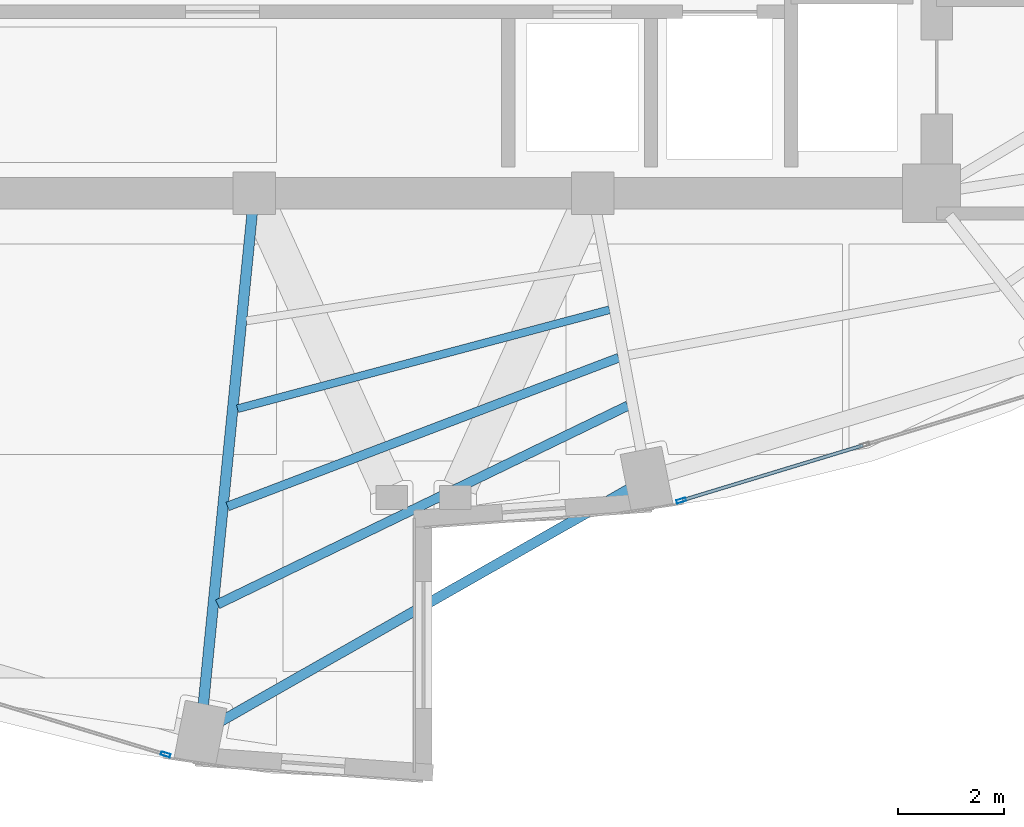
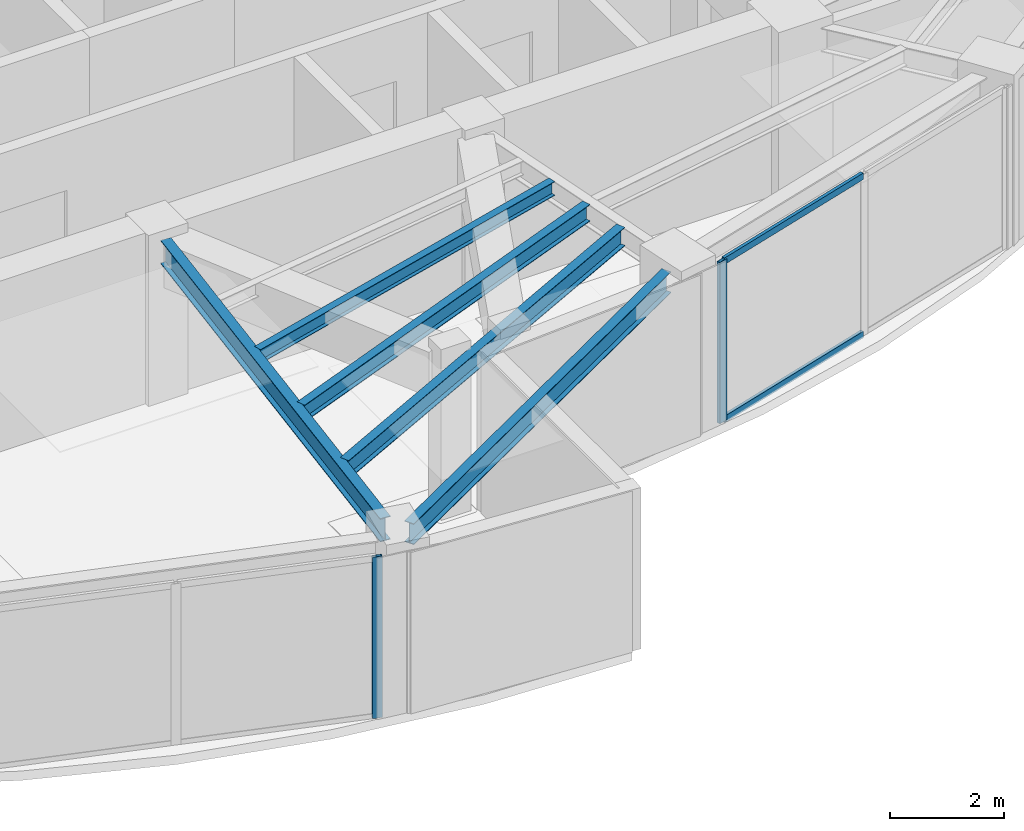
# One storey, part 4 of 21: 5 beams, 4 members, 2 elements without a shape of their own.
"""IFC4 building model written with IfcOpenShell, lengths in metres."""

from ifc_helpers import new_model, si_unit, direction, frame, origin, origin_2d, place, context, subcontext, project, spatial, hollow_rectangle, i_section, extrude, material, layer, layer_set, material_profile, profile_set, type_object, element, aggregate, save


model = new_model("IFC4")

# Units and contexts
model_context = context("Model", 3, precision=1e-05, world=origin(), true_north=direction((0.0, 1.0)))
body_context = subcontext(model_context, "Body", "Model", "MODEL_VIEW")
ifc_project = project(units=[si_unit("LENGTHUNIT", "METRE"), si_unit("AREAUNIT", "SQUARE_METRE"), si_unit("VOLUMEUNIT", "CUBIC_METRE"), si_unit("PLANEANGLEUNIT", "RADIAN"), si_unit("MASSUNIT", "GRAM", prefix="KILO")], contexts=[model_context])

# Site, building, storey
site_placement = place(None, origin())
site = spatial("IfcSite", under=ifc_project, at=site_placement, CompositionType="ELEMENT")
building_placement = place(site_placement, origin())
building = spatial("IfcBuilding", under=site, at=building_placement, Name="Lazwardi Medical Tower", CompositionType="ELEMENT")
storey_placement = place(building_placement, frame((0.0, 0.0, 216.719970703125)))
storey = spatial("IfcBuildingStorey", under=building, at=storey_placement, Name="L56", CompositionType="ELEMENT", Elevation=216.719970703125)

# Beams
ifc_material_1 = material(Name="Steel S355", Category="steel")
ifc_material_profile_1 = material_profile(ifc_material_1, i_section(OverallWidth=0.199951171875, OverallDepth=0.5, WebThickness=0.01025390625, FlangeThickness=0.01611328125, at=origin_2d()), Name="IPE 500")
ifc_profile_set_1 = profile_set([ifc_material_profile_1], Name="Steel S355")
beam_type_1 = type_object("IfcBeamType", Name="BM-RG-W3", PredefinedType="BEAM", material=ifc_profile_set_1)
beam_1_placement = place(storey_placement, frame((31.8388671875, 10.734130859375, 3.197998046875), z_axis=(0.098954361922, 0.995091972763, 0.0), x_axis=(-0.995091972763, 0.098954361922, 0.0)))
element("IfcBeam", 1, at=beam_1_placement, inside=storey, type_object=beam_type_1, Name="Radial girder RG-04 R16 L56", PredefinedType="BEAM", context=body_context, shape_type="SweptSolid", body=[
    extrude(i_section(OverallWidth=0.199951171875, OverallDepth=0.5, WebThickness=0.01025390625, FlangeThickness=0.01611328125, at=origin_2d()), origin(), (0.0, 0.0, 1.0), 9.32861328125),
])
ifc_material_profile_2 = material_profile(ifc_material_1, i_section(OverallWidth=0.179931640625, OverallDepth=0.39990234375, WebThickness=0.008544921875, FlangeThickness=0.013427734375, at=origin_2d()), Name="IPE 400")
ifc_profile_set_2 = profile_set([ifc_material_profile_2], Name="Steel S355")
beam_type_2 = type_object("IfcBeamType", Name="BM-SJ-01", PredefinedType="JOIST", material=ifc_profile_set_2)
beam_2_placement = place(storey_placement, frame((32.10888671875, 12.632080078125, 3.248046875), z_axis=(0.900068885459, 0.435747635024, 0.0), x_axis=(-0.435747635024, 0.900068885459, 0.0)))
element("IfcBeam", 2, at=beam_2_placement, inside=storey, type_object=beam_type_2, Name="Secondary joist SJ-01 R1 B16 L56", PredefinedType="JOIST", context=body_context, shape_type="SweptSolid", body=[
    extrude(i_section(OverallWidth=0.179931640625, OverallDepth=0.39990234375, WebThickness=0.008544921875, FlangeThickness=0.013427734375, at=origin_2d()), origin(), (0.0, 0.0, 1.0), 8.612548828125),
])
ifc_material_profile_3 = material_profile(ifc_material_1, i_section(OverallWidth=0.169921875, OverallDepth=0.360107421875, WebThickness=0.008056640625, FlangeThickness=0.0126953125, at=origin_2d()), Name="IPE 360")
ifc_profile_set_3 = profile_set([ifc_material_profile_3], Name="Steel S355")
beam_type_3 = type_object("IfcBeamType", Name="BM-SJ-02", PredefinedType="JOIST", material=ifc_profile_set_3)
beam_3_placement = place(storey_placement, frame((32.296875, 14.48095703125, 3.26806640625), z_axis=(0.934714470268, 0.355399576633, 0.0), x_axis=(-0.355399576633, 0.934714470268, 0.0)))
element("IfcBeam", 3, at=beam_3_placement, inside=storey, type_object=beam_type_3, Name="Secondary joist SJ-02 R2 B16 L56", PredefinedType="JOIST", context=body_context, shape_type="SweptSolid", body=[
    extrude(i_section(OverallWidth=0.169921875, OverallDepth=0.360107421875, WebThickness=0.008056640625, FlangeThickness=0.0126953125, at=origin_2d()), origin(), (0.0, 0.0, 1.0), 7.908203125),
])
ifc_material_profile_4 = material_profile(ifc_material_1, i_section(OverallWidth=0.14990234375, OverallDepth=0.300048828125, WebThickness=0.007080078125, FlangeThickness=0.0107421875, at=origin_2d()), Name="IPE 300")
ifc_profile_set_4 = profile_set([ifc_material_profile_4], Name="Steel S355")
beam_type_4 = type_object("IfcBeamType", Name="BM-SJ-03", PredefinedType="JOIST", material=ifc_profile_set_4)
beam_4_placement = place(storey_placement, frame((32.484619140625, 16.328125, 3.298095703125), z_axis=(0.966369007826, 0.257159368316, 0.0), x_axis=(-0.257159368316, 0.966369007826, 0.0)))
element("IfcBeam", 4, at=beam_4_placement, inside=storey, type_object=beam_type_4, Name="Secondary joist SJ-03 R3 B16 L56", PredefinedType="JOIST", context=body_context, shape_type="SweptSolid", body=[
    extrude(i_section(OverallWidth=0.14990234375, OverallDepth=0.300048828125, WebThickness=0.007080078125, FlangeThickness=0.0107421875, at=origin_2d()), origin(), (0.0, 0.0, 1.0), 7.27685546875),
])
ifc_material_profile_5 = material_profile(ifc_material_1, i_section(OverallWidth=0.18994140625, OverallDepth=0.449951171875, WebThickness=0.009521484375, FlangeThickness=0.0146484375, at=origin_2d()), Name="IPE 450")
ifc_profile_set_5 = profile_set([ifc_material_profile_5], Name="Steel S355")
beam_type_5 = type_object("IfcBeamType", Name="BM-SP-01", PredefinedType="SPANDREL", material=ifc_profile_set_5)
beam_5_placement = place(storey_placement, frame((32.125, 10.394775390625, 3.22314453125), z_axis=(0.868954808466, 0.494891443494, 0.0), x_axis=(-0.494891443494, 0.868954808466, 0.0)))
element("IfcBeam", 5, at=beam_5_placement, inside=storey, type_object=beam_type_5, Name="Spandrel beam SP-01 B16 L56", PredefinedType="SPANDREL", context=body_context, shape_type="SweptSolid", body=[
    extrude(i_section(OverallWidth=0.18994140625, OverallDepth=0.449951171875, WebThickness=0.009521484375, FlangeThickness=0.0146484375, at=origin_2d()), origin(), (0.0, 0.0, 1.0), 8.918701171875),
])

# Curtain wall, member
ifc_material_2 = material(Name="Anodised bronze aluminium and solar control glazing", Category="aluminium")
ifc_layer = layer(ifc_material_2, 0.18994140625)
ifc_layer_set = layer_set([ifc_layer], Name="Anodised bronze aluminium and solar control glazing")
curtain_wall_type = type_object("IfcCurtainWallType", Name="CW-SYS-04", PredefinedType="NOTDEFINED", material=ifc_layer_set)
curtain_wall_1_placement = place(storey_placement, origin())
curtain_wall_1 = element("IfcCurtainWall", 6, at=curtain_wall_1_placement, inside=storey, type_object=curtain_wall_type, Name="L56 Unitised bronze curtain wall CW-04", PredefinedType="NOTDEFINED")
ifc_material_3 = material(Name="Anodised bronze aluminium", Category="aluminium")
ifc_material_profile_6 = material_profile(ifc_material_3, hollow_rectangle(XDim=0.06494140625, YDim=0.179931640625, WallThickness=0.00390625, at=origin_2d()), Name="ALU-MULLION 180x65x4")
ifc_profile_set_6 = profile_set([ifc_material_profile_6], Name="Anodised bronze aluminium")
member_type_1 = type_object("IfcMemberType", Name="CW-MUL-03", PredefinedType="MULLION", material=ifc_profile_set_6)
member_1_placement = place(storey_placement, frame((40.873046875, 14.593017578125, 0.0), z_axis=(0.0, 0.0, 1.0), x_axis=(-0.290581889515, 0.956850126972, 0.0)))
member_1 = element("IfcMember", 7, at=member_1_placement, type_object=member_type_1, Name="CW-04 mullion 1", PredefinedType="MULLION", context=body_context, shape_type="SweptSolid", body=[
    extrude(hollow_rectangle(XDim=0.06494140625, YDim=0.179931640625, WallThickness=0.00390625, at=origin_2d()), origin(), (0.0, 0.0, 1.0), 3.447998046875),
])

curtain_wall_2_placement = place(storey_placement, origin())
curtain_wall_2 = element("IfcCurtainWall", 8, at=curtain_wall_2_placement, inside=storey, type_object=curtain_wall_type, Name="L56 Unitised bronze curtain wall CW-04", PredefinedType="NOTDEFINED")
member_2_placement = place(storey_placement, frame((31.126953125, 9.79296875, 0.0), z_axis=(0.0, 0.0, 1.0), x_axis=(0.290581889515, 0.956850126972, 0.0)))
member_2 = element("IfcMember", 9, at=member_2_placement, type_object=member_type_1, Name="CW-04 mullion 3", PredefinedType="MULLION", context=body_context, shape_type="SweptSolid", body=[
    extrude(hollow_rectangle(XDim=0.06494140625, YDim=0.179931640625, WallThickness=0.00390625, at=origin_2d()), origin(), (0.0, 0.0, 1.0), 3.447998046875),
])
aggregate(curtain_wall_2, [member_2])

# Member
ifc_material_profile_7 = material_profile(ifc_material_3, hollow_rectangle(XDim=0.06494140625, YDim=0.139892578125, WallThickness=0.00341796875, at=origin_2d()), Name="ALU-TRANSOM 140x65x3.5")
ifc_profile_set_7 = profile_set([ifc_material_profile_7], Name="Anodised bronze aluminium")
member_type_2 = type_object("IfcMemberType", Name="CW-TRN-03", PredefinedType="USERDEFINED", material=ifc_profile_set_7)
member_3_placement = place(storey_placement, frame((40.904296875, 14.602294921875, 0.032470703125), z_axis=(0.956843409009, 0.290604010015, 0.0), x_axis=(-0.290604010015, 0.956843409009, 0.0)))
member_3 = element("IfcMember", 10, at=member_3_placement, type_object=member_type_2, Name="CW-04 transom 1.1", ObjectType="TRANSOM", PredefinedType="USERDEFINED", context=body_context, shape_type="SweptSolid", body=[
    extrude(hollow_rectangle(XDim=0.06494140625, YDim=0.139892578125, WallThickness=0.00341796875, at=origin_2d()), origin(), (0.0, 0.0, 1.0), 3.554443359375),
])

member_4_placement = place(storey_placement, frame((40.904296875, 14.602294921875, 3.41552734375), z_axis=(0.956843409009, 0.290604010015, 0.0), x_axis=(-0.290604010015, 0.956843409009, 0.0)))
member_4 = element("IfcMember", 11, at=member_4_placement, type_object=member_type_2, Name="CW-04 transom 1.2", ObjectType="TRANSOM", PredefinedType="USERDEFINED", context=body_context, shape_type="SweptSolid", body=[
    extrude(hollow_rectangle(XDim=0.06494140625, YDim=0.139892578125, WallThickness=0.00341796875, at=origin_2d()), origin(), (0.0, 0.0, 1.0), 3.554443359375),
])

aggregate(curtain_wall_1, [member_1, member_3, member_4])

save(model, "model.ifc")
